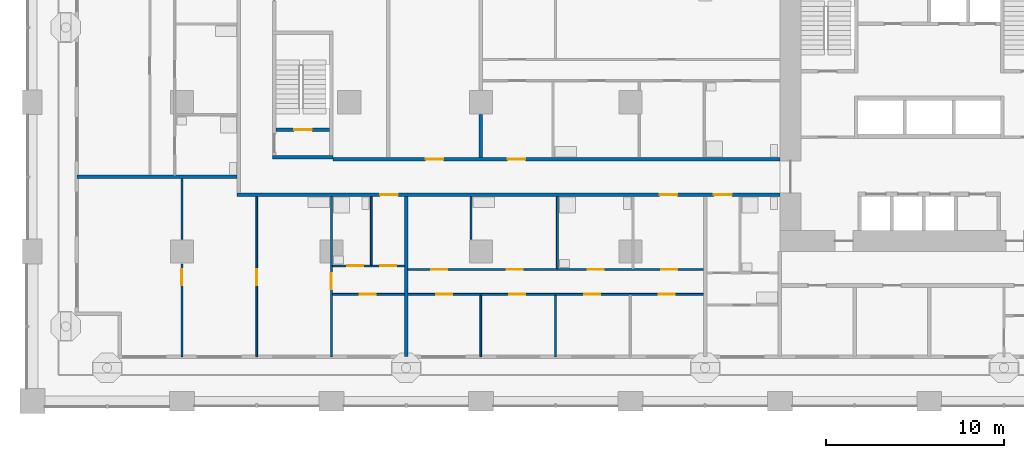
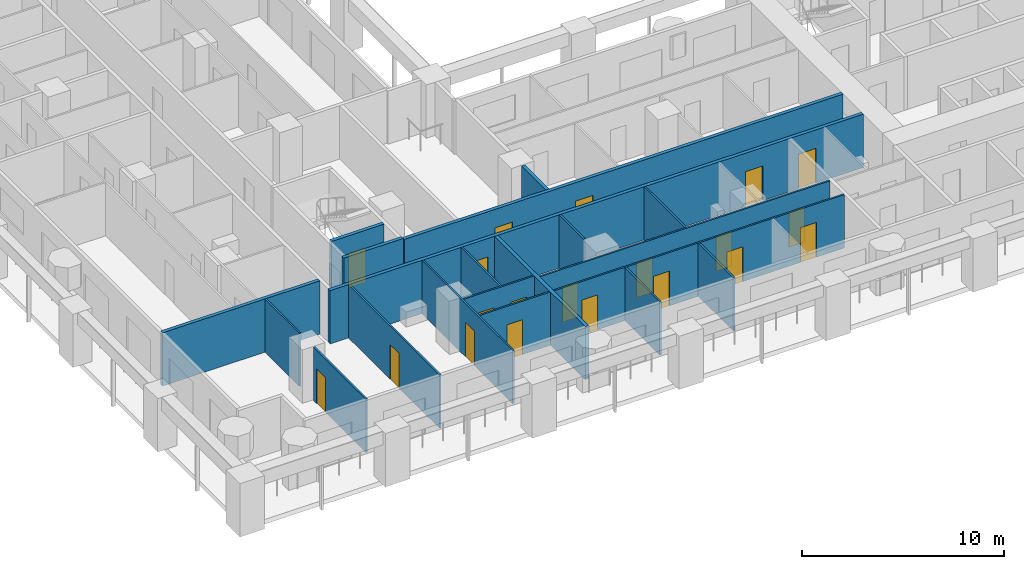
# One storey, part 3 of 23: 20 doors, 19 walls, 20 openings.
"""IFC4 building model written with IfcOpenShell, lengths in metres."""

from ifc_helpers import new_model, si_unit, direction, frame, frame_2d, origin, place, context, subcontext, project, spatial, rectangle, extrude, material, layer, layer_set, type_object, element, fill, save


model = new_model("IFC4")

# Units and contexts
model_context = context("Model", 3, precision=1e-05, world=origin(), true_north=direction((0.0, 1.0)))
body_context = subcontext(model_context, "Body", "Model", "MODEL_VIEW")
ifc_project = project(units=[si_unit("LENGTHUNIT", "METRE"), si_unit("AREAUNIT", "SQUARE_METRE"), si_unit("VOLUMEUNIT", "CUBIC_METRE"), si_unit("PLANEANGLEUNIT", "RADIAN"), si_unit("MASSUNIT", "GRAM", prefix="KILO")], contexts=[model_context])

# Site, building, storey
site_placement = place(None, origin())
site = spatial("IfcSite", under=ifc_project, at=site_placement, CompositionType="ELEMENT")
building_placement = place(site_placement, origin())
building = spatial("IfcBuilding", under=site, at=building_placement, Name="Vermilion Gate Residences", CompositionType="ELEMENT")
storey_placement = place(building_placement, frame((0.0, 0.0, 25.199951171875)))
storey = spatial("IfcBuildingStorey", under=building, at=storey_placement, Name="L04", CompositionType="ELEMENT", Elevation=25.199951171875)

# Wall, openings, doors
ifc_material_1 = material(Name="Plasterboard on steel studs", Category="steel")
ifc_layer_1 = layer(ifc_material_1, 0.10009765625)
ifc_layer_set_1 = layer_set([ifc_layer_1], Name="PARTITION 100")
wall_type_1 = type_object("IfcWallType", Name="PARTITION 100", PredefinedType="PARTITIONING", material=ifc_layer_set_1)
wall_1_placement = place(storey_placement, frame((16.85009765625, 6.0, 0.0), z_axis=(0.0, 0.0, 1.0), x_axis=(1.0, 0.0, 0.0)))
wall_1 = element("IfcWall", 1, at=wall_1_placement, inside=storey, type_object=wall_type_1, Name="Partition", PredefinedType="PARTITIONING", context=body_context, shape_type="SweptSolid", body=[
    extrude(rectangle(XDim=20.849853515625, YDim=0.10009765625, at=frame_2d((10.4248046875, 0.0))), origin(), (0.0, 0.0, 1.0), 3.219970703125),
])
opening_1_placement = place(wall_1_placement, frame((1.550048828125, 0.0, 0.0)))
opening_1 = element("IfcOpeningElement", 2, at=opening_1_placement, cuts=wall_1, Name="Opening DA04004", PredefinedType="OPENING", context=body_context, shape_type="SweptSolid", body=[
    extrude(rectangle(XDim=0.89990234375, YDim=2.10009765625, at=frame_2d((0.449951171875, 1.050048828125))), frame((0.0, 0.06005859375, 0.0), z_axis=(0.0, -1.0, 0.0), x_axis=(1.0, 0.0, 0.0)), (0.0, 0.0, 1.0), 0.1201171875),
])
opening_2_placement = place(wall_1_placement, frame((5.85009765625, 0.0, 0.0)))
opening_2 = element("IfcOpeningElement", 3, at=opening_2_placement, cuts=wall_1, Name="Opening DA04005", PredefinedType="OPENING", context=body_context, shape_type="SweptSolid", body=[
    extrude(rectangle(XDim=0.89990234375, YDim=2.10009765625, at=frame_2d((0.449951171875, 1.050048828125))), frame((0.0, 0.06005859375, 0.0), z_axis=(0.0, -1.0, 0.0), x_axis=(1.0, 0.0, 0.0)), (0.0, 0.0, 1.0), 0.1201171875),
])
opening_3_placement = place(wall_1_placement, frame((9.949951171875, 0.0, 0.0)))
opening_3 = element("IfcOpeningElement", 4, at=opening_3_placement, cuts=wall_1, Name="Opening DA04006", PredefinedType="OPENING", context=body_context, shape_type="SweptSolid", body=[
    extrude(rectangle(XDim=0.89990234375, YDim=2.10009765625, at=frame_2d((0.449951171875, 1.050048828125))), frame((0.0, 0.06005859375, 0.0), z_axis=(0.0, -1.0, 0.0), x_axis=(1.0, 0.0, 0.0)), (0.0, 0.0, 1.0), 0.1201171875),
])
opening_4_placement = place(wall_1_placement, frame((14.14990234375, 0.0, 0.0)))
opening_4 = element("IfcOpeningElement", 5, at=opening_4_placement, cuts=wall_1, Name="Opening DA04007", PredefinedType="OPENING", context=body_context, shape_type="SweptSolid", body=[
    extrude(rectangle(XDim=0.89990234375, YDim=2.10009765625, at=frame_2d((0.449951171875, 1.050048828125))), frame((0.0, 0.06005859375, 0.0), z_axis=(0.0, -1.0, 0.0), x_axis=(1.0, 0.0, 0.0)), (0.0, 0.0, 1.0), 0.1201171875),
])
opening_5_placement = place(wall_1_placement, frame((18.35009765625, 0.0, 0.0)))
opening_5 = element("IfcOpeningElement", 6, at=opening_5_placement, cuts=wall_1, Name="Opening DA04008", PredefinedType="OPENING", context=body_context, shape_type="SweptSolid", body=[
    extrude(rectangle(XDim=0.89990234375, YDim=2.10009765625, at=frame_2d((0.449951171875, 1.050048828125))), frame((0.0, 0.06005859375, 0.0), z_axis=(0.0, -1.0, 0.0), x_axis=(1.0, 0.0, 0.0)), (0.0, 0.0, 1.0), 0.1201171875),
])
ifc_material_2 = material(Name="Timber", Category="wood")
door_type_1 = type_object("IfcDoorType", Name="INTERIOR DOOR 900 X 2100", OperationType="SINGLE_SWING_LEFT", PredefinedType="DOOR", material=ifc_material_2)
door_1_placement = place(opening_1_placement, frame((0.89990234375, 0.0, 0.0), z_axis=(0.0, 0.0, 1.0), x_axis=(-1.0, 0.0, 0.0)))
door_1 = element("IfcDoor", 7, at=door_1_placement, inside=storey, type_object=door_type_1, Name="Interior door", OperationType="SINGLE_SWING_RIGHT", OverallHeight=2.10009765625, OverallWidth=0.89990234375, PredefinedType="DOOR", context=body_context, shape_type="SweptSolid", body=[
    extrude(rectangle(XDim=0.89990234375, YDim=2.10009765625, at=frame_2d((0.449951171875, 1.050048828125))), frame((0.0, 0.02490234375, 0.0), z_axis=(0.0, -1.0, 0.0), x_axis=(1.0, 0.0, 0.0)), (0.0, 0.0, 1.0), 0.050048828125),
])
fill(opening_1, door_1)
door_2_placement = place(opening_2_placement, frame((0.89990234375, 0.0, 0.0), z_axis=(0.0, 0.0, 1.0), x_axis=(-1.0, 0.0, 0.0)))
door_2 = element("IfcDoor", 8, at=door_2_placement, inside=storey, type_object=door_type_1, Name="Interior door", OperationType="SINGLE_SWING_LEFT", OverallHeight=2.10009765625, OverallWidth=0.89990234375, PredefinedType="DOOR", context=body_context, shape_type="SweptSolid", body=[
    extrude(rectangle(XDim=0.89990234375, YDim=2.10009765625, at=frame_2d((0.449951171875, 1.050048828125))), frame((0.0, 0.02490234375, 0.0), z_axis=(0.0, -1.0, 0.0), x_axis=(1.0, 0.0, 0.0)), (0.0, 0.0, 1.0), 0.050048828125),
])
fill(opening_2, door_2)
door_3_placement = place(opening_3_placement, frame((0.89990234375, 0.0, 0.0), z_axis=(0.0, 0.0, 1.0), x_axis=(-1.0, 0.0, 0.0)))
door_3 = element("IfcDoor", 9, at=door_3_placement, inside=storey, type_object=door_type_1, Name="Interior door", OperationType="SINGLE_SWING_RIGHT", OverallHeight=2.10009765625, OverallWidth=0.89990234375, PredefinedType="DOOR", context=body_context, shape_type="SweptSolid", body=[
    extrude(rectangle(XDim=0.89990234375, YDim=2.10009765625, at=frame_2d((0.449951171875, 1.050048828125))), frame((0.0, 0.02490234375, 0.0), z_axis=(0.0, -1.0, 0.0), x_axis=(1.0, 0.0, 0.0)), (0.0, 0.0, 1.0), 0.050048828125),
])
fill(opening_3, door_3)
door_4_placement = place(opening_4_placement, frame((0.89990234375, 0.0, 0.0), z_axis=(0.0, 0.0, 1.0), x_axis=(-1.0, 0.0, 0.0)))
door_4 = element("IfcDoor", 10, at=door_4_placement, inside=storey, type_object=door_type_1, Name="Interior door", OperationType="SINGLE_SWING_RIGHT", OverallHeight=2.10009765625, OverallWidth=0.89990234375, PredefinedType="DOOR", context=body_context, shape_type="SweptSolid", body=[
    extrude(rectangle(XDim=0.89990234375, YDim=2.10009765625, at=frame_2d((0.449951171875, 1.050048828125))), frame((0.0, 0.02490234375, 0.0), z_axis=(0.0, -1.0, 0.0), x_axis=(1.0, 0.0, 0.0)), (0.0, 0.0, 1.0), 0.050048828125),
])
fill(opening_4, door_4)
door_5_placement = place(opening_5_placement, frame((0.89990234375, 0.0, 0.0), z_axis=(0.0, 0.0, 1.0), x_axis=(-1.0, 0.0, 0.0)))
door_5 = element("IfcDoor", 11, at=door_5_placement, inside=storey, type_object=door_type_1, Name="Interior door", OperationType="SINGLE_SWING_RIGHT", OverallHeight=2.10009765625, OverallWidth=0.89990234375, PredefinedType="DOOR", context=body_context, shape_type="SweptSolid", body=[
    extrude(rectangle(XDim=0.89990234375, YDim=2.10009765625, at=frame_2d((0.449951171875, 1.050048828125))), frame((0.0, 0.02490234375, 0.0), z_axis=(0.0, -1.0, 0.0), x_axis=(1.0, 0.0, 0.0)), (0.0, 0.0, 1.0), 0.050048828125),
])
fill(opening_5, door_5)

wall_2_placement = place(storey_placement, frame((21.10009765625, 7.39990234375, 0.0), z_axis=(0.0, 0.0, 1.0), x_axis=(1.0, 0.0, 0.0)))
wall_2 = element("IfcWall", 12, at=wall_2_placement, inside=storey, type_object=wall_type_1, Name="Partition", PredefinedType="PARTITIONING", context=body_context, shape_type="SweptSolid", body=[
    extrude(rectangle(XDim=16.599853515625, YDim=0.10009765625, at=frame_2d((8.2998046875, 0.0))), origin(), (0.0, 0.0, 1.0), 3.219970703125),
])
opening_6_placement = place(wall_2_placement, frame((14.25, 0.0, 0.0)))
opening_6 = element("IfcOpeningElement", 13, at=opening_6_placement, cuts=wall_2, Name="Opening DA04015", PredefinedType="OPENING", context=body_context, shape_type="SweptSolid", body=[
    extrude(rectangle(XDim=0.89990234375, YDim=2.10009765625, at=frame_2d((0.449951171875, 1.050048828125))), frame((0.0, 0.06005859375, 0.0), z_axis=(0.0, -1.0, 0.0), x_axis=(1.0, 0.0, 0.0)), (0.0, 0.0, 1.0), 0.1201171875),
])
opening_7_placement = place(wall_2_placement, frame((1.300048828125, 0.0, 0.0)))
opening_7 = element("IfcOpeningElement", 14, at=opening_7_placement, cuts=wall_2, Name="Opening DA04016", PredefinedType="OPENING", context=body_context, shape_type="SweptSolid", body=[
    extrude(rectangle(XDim=0.89990234375, YDim=2.10009765625, at=frame_2d((0.449951171875, 1.050048828125))), frame((0.0, 0.06005859375, 0.0), z_axis=(0.0, -1.0, 0.0), x_axis=(1.0, 0.0, 0.0)), (0.0, 0.0, 1.0), 0.1201171875),
])
opening_8_placement = place(wall_2_placement, frame((5.550048828125, 0.0, 0.0)))
opening_8 = element("IfcOpeningElement", 15, at=opening_8_placement, cuts=wall_2, Name="Opening DA04017", PredefinedType="OPENING", context=body_context, shape_type="SweptSolid", body=[
    extrude(rectangle(XDim=0.89990234375, YDim=2.10009765625, at=frame_2d((0.449951171875, 1.050048828125))), frame((0.0, 0.06005859375, 0.0), z_axis=(0.0, -1.0, 0.0), x_axis=(1.0, 0.0, 0.0)), (0.0, 0.0, 1.0), 0.1201171875),
])
opening_9_placement = place(wall_2_placement, frame((10.10009765625, 0.0, 0.0)))
opening_9 = element("IfcOpeningElement", 16, at=opening_9_placement, cuts=wall_2, Name="Opening DA04018", PredefinedType="OPENING", context=body_context, shape_type="SweptSolid", body=[
    extrude(rectangle(XDim=0.89990234375, YDim=2.10009765625, at=frame_2d((0.449951171875, 1.050048828125))), frame((0.0, 0.06005859375, 0.0), z_axis=(0.0, -1.0, 0.0), x_axis=(1.0, 0.0, 0.0)), (0.0, 0.0, 1.0), 0.1201171875),
])
door_6_placement = place(opening_6_placement, origin())
door_6 = element("IfcDoor", 17, at=door_6_placement, inside=storey, type_object=door_type_1, Name="Interior door", OperationType="SINGLE_SWING_RIGHT", OverallHeight=2.10009765625, OverallWidth=0.89990234375, PredefinedType="DOOR", context=body_context, shape_type="SweptSolid", body=[
    extrude(rectangle(XDim=0.89990234375, YDim=2.10009765625, at=frame_2d((0.449951171875, 1.050048828125))), frame((0.0, 0.02490234375, 0.0), z_axis=(0.0, -1.0, 0.0), x_axis=(1.0, 0.0, 0.0)), (0.0, 0.0, 1.0), 0.050048828125),
])
fill(opening_6, door_6)
door_7_placement = place(opening_7_placement, origin())
door_7 = element("IfcDoor", 18, at=door_7_placement, inside=storey, type_object=door_type_1, Name="Interior door", OperationType="SINGLE_SWING_LEFT", OverallHeight=2.10009765625, OverallWidth=0.89990234375, PredefinedType="DOOR", context=body_context, shape_type="SweptSolid", body=[
    extrude(rectangle(XDim=0.89990234375, YDim=2.10009765625, at=frame_2d((0.449951171875, 1.050048828125))), frame((0.0, 0.02490234375, 0.0), z_axis=(0.0, -1.0, 0.0), x_axis=(1.0, 0.0, 0.0)), (0.0, 0.0, 1.0), 0.050048828125),
])
fill(opening_7, door_7)
door_8_placement = place(opening_8_placement, origin())
door_8 = element("IfcDoor", 19, at=door_8_placement, inside=storey, type_object=door_type_1, Name="Interior door", OperationType="SINGLE_SWING_RIGHT", OverallHeight=2.10009765625, OverallWidth=0.89990234375, PredefinedType="DOOR", context=body_context, shape_type="SweptSolid", body=[
    extrude(rectangle(XDim=0.89990234375, YDim=2.10009765625, at=frame_2d((0.449951171875, 1.050048828125))), frame((0.0, 0.02490234375, 0.0), z_axis=(0.0, -1.0, 0.0), x_axis=(1.0, 0.0, 0.0)), (0.0, 0.0, 1.0), 0.050048828125),
])
fill(opening_8, door_8)
door_9_placement = place(opening_9_placement, origin())
door_9 = element("IfcDoor", 20, at=door_9_placement, inside=storey, type_object=door_type_1, Name="Interior door", OperationType="SINGLE_SWING_LEFT", OverallHeight=2.10009765625, OverallWidth=0.89990234375, PredefinedType="DOOR", context=body_context, shape_type="SweptSolid", body=[
    extrude(rectangle(XDim=0.89990234375, YDim=2.10009765625, at=frame_2d((0.449951171875, 1.050048828125))), frame((0.0, 0.02490234375, 0.0), z_axis=(0.0, -1.0, 0.0), x_axis=(1.0, 0.0, 0.0)), (0.0, 0.0, 1.0), 0.050048828125),
])
fill(opening_9, door_9)

wall_3_placement = place(storey_placement, frame((16.85009765625, 7.60009765625, 0.0), z_axis=(0.0, 0.0, 1.0), x_axis=(1.0, 0.0, 0.0)))
wall_3 = element("IfcWall", 21, at=wall_3_placement, inside=storey, type_object=wall_type_1, Name="Partition", PredefinedType="PARTITIONING", context=body_context, shape_type="SweptSolid", body=[
    extrude(rectangle(XDim=4.0498046875, YDim=0.10009765625, at=frame_2d((2.02490234375, 0.0))), origin(), (0.0, 0.0, 1.0), 3.219970703125),
])
opening_10_placement = place(wall_3_placement, frame((2.68994140625, 0.0, 0.0)))
opening_10 = element("IfcOpeningElement", 22, at=opening_10_placement, cuts=wall_3, Name="Opening DA04019", PredefinedType="OPENING", context=body_context, shape_type="SweptSolid", body=[
    extrude(rectangle(XDim=0.89990234375, YDim=2.10009765625, at=frame_2d((0.449951171875, 1.050048828125))), frame((0.0, 0.06005859375, 0.0), z_axis=(0.0, -1.0, 0.0), x_axis=(1.0, 0.0, 0.0)), (0.0, 0.0, 1.0), 0.1201171875),
])
opening_11_placement = place(wall_3_placement, frame((0.85009765625, 0.0, 0.0)))
opening_11 = element("IfcOpeningElement", 23, at=opening_11_placement, cuts=wall_3, Name="Opening DA04020", PredefinedType="OPENING", context=body_context, shape_type="SweptSolid", body=[
    extrude(rectangle(XDim=0.89990234375, YDim=2.10009765625, at=frame_2d((0.449951171875, 1.050048828125))), frame((0.0, 0.06005859375, 0.0), z_axis=(0.0, -1.0, 0.0), x_axis=(1.0, 0.0, 0.0)), (0.0, 0.0, 1.0), 0.1201171875),
])
door_10_placement = place(opening_10_placement, frame((0.89990234375, 0.0, 0.0), z_axis=(0.0, 0.0, 1.0), x_axis=(-1.0, 0.0, 0.0)))
door_10 = element("IfcDoor", 24, at=door_10_placement, inside=storey, type_object=door_type_1, Name="Interior door", OperationType="SINGLE_SWING_LEFT", OverallHeight=2.10009765625, OverallWidth=0.89990234375, PredefinedType="DOOR", context=body_context, shape_type="SweptSolid", body=[
    extrude(rectangle(XDim=0.89990234375, YDim=2.10009765625, at=frame_2d((0.449951171875, 1.050048828125))), frame((0.0, 0.02490234375, 0.0), z_axis=(0.0, -1.0, 0.0), x_axis=(1.0, 0.0, 0.0)), (0.0, 0.0, 1.0), 0.050048828125),
])
fill(opening_10, door_10)
door_11_placement = place(opening_11_placement, origin())
door_11 = element("IfcDoor", 25, at=door_11_placement, inside=storey, type_object=door_type_1, Name="Interior door", OperationType="SINGLE_SWING_LEFT", OverallHeight=2.10009765625, OverallWidth=0.89990234375, PredefinedType="DOOR", context=body_context, shape_type="SweptSolid", body=[
    extrude(rectangle(XDim=0.89990234375, YDim=2.10009765625, at=frame_2d((0.449951171875, 1.050048828125))), frame((0.0, 0.02490234375, 0.0), z_axis=(0.0, -1.0, 0.0), x_axis=(1.0, 0.0, 0.0)), (0.0, 0.0, 1.0), 0.050048828125),
])
fill(opening_11, door_11)

# Wall, opening, door
wall_4_placement = place(storey_placement, frame((8.39990234375, 2.5, 0.0), z_axis=(0.0, 0.0, 1.0), x_axis=(0.0, 1.0, 0.0)))
wall_4 = element("IfcWall", 26, at=wall_4_placement, inside=storey, type_object=wall_type_1, Name="Partition", PredefinedType="PARTITIONING", context=body_context, shape_type="SweptSolid", body=[
    extrude(rectangle(XDim=5.199951171875, YDim=0.10009765625, at=frame_2d((2.60009765625, 0.0))), origin(), (0.0, 0.0, 1.0), 3.219970703125),
])
opening_12_placement = place(wall_4_placement, frame((4.0, 0.0, 0.0)))
opening_12 = element("IfcOpeningElement", 27, at=opening_12_placement, cuts=wall_4, Name="Opening DA04050", PredefinedType="OPENING", context=body_context, shape_type="SweptSolid", body=[
    extrude(rectangle(XDim=0.89990234375, YDim=2.10009765625, at=frame_2d((0.449951171875, 1.050048828125))), frame((0.0, 0.06005859375, 0.0), z_axis=(0.0, -1.0, 0.0), x_axis=(1.0, 0.0, 0.0)), (0.0, 0.0, 1.0), 0.1201171875),
])
door_12_placement = place(opening_12_placement, frame((0.89990234375, 0.0, 0.0), z_axis=(0.0, 0.0, 1.0), x_axis=(-1.0, 0.0, 0.0)))
door_12 = element("IfcDoor", 28, at=door_12_placement, inside=storey, type_object=door_type_1, Name="Interior door", OperationType="SINGLE_SWING_LEFT", OverallHeight=2.10009765625, OverallWidth=0.89990234375, PredefinedType="DOOR", context=body_context, shape_type="SweptSolid", body=[
    extrude(rectangle(XDim=0.89990234375, YDim=2.10009765625, at=frame_2d((0.449951171875, 1.050048828125))), frame((0.0, 0.02490234375, 0.0), z_axis=(0.0, -1.0, 0.0), x_axis=(1.0, 0.0, 0.0)), (0.0, 0.0, 1.0), 0.050048828125),
])
fill(opening_12, door_12)

# Wall
wall_5_placement = place(storey_placement, frame((8.39990234375, 9.10009765625, 0.0), z_axis=(0.0, 0.0, 1.0), x_axis=(0.0, 1.0, 0.0)))
element("IfcWall", 29, at=wall_5_placement, inside=storey, type_object=wall_type_1, Name="Partition", PredefinedType="PARTITIONING", context=body_context, shape_type="SweptSolid", body=[
    extrude(rectangle(XDim=3.39990234375, YDim=0.10009765625, at=frame_2d((1.699951171875, 0.0))), origin(), (0.0, 0.0, 1.0), 3.219970703125),
])

# Wall, opening, door
wall_6_placement = place(storey_placement, frame((12.60009765625, 2.5, 0.0), z_axis=(0.0, 0.0, 1.0), x_axis=(0.0, 1.0, 0.0)))
wall_6 = element("IfcWall", 30, at=wall_6_placement, inside=storey, type_object=wall_type_1, Name="Partition", PredefinedType="PARTITIONING", context=body_context, shape_type="SweptSolid", body=[
    extrude(rectangle(XDim=9.0, YDim=0.10009765625, at=frame_2d((4.5, 0.0))), origin(), (0.0, 0.0, 1.0), 3.219970703125),
])
opening_13_placement = place(wall_6_placement, frame((4.0, 0.0, 0.0)))
opening_13 = element("IfcOpeningElement", 31, at=opening_13_placement, cuts=wall_6, Name="Opening DA04055", PredefinedType="OPENING", context=body_context, shape_type="SweptSolid", body=[
    extrude(rectangle(XDim=0.89990234375, YDim=2.10009765625, at=frame_2d((0.449951171875, 1.050048828125))), frame((0.0, 0.06005859375, 0.0), z_axis=(0.0, -1.0, 0.0), x_axis=(1.0, 0.0, 0.0)), (0.0, 0.0, 1.0), 0.1201171875),
])
door_13_placement = place(opening_13_placement, origin())
door_13 = element("IfcDoor", 32, at=door_13_placement, inside=storey, type_object=door_type_1, Name="Interior door", OperationType="SINGLE_SWING_LEFT", OverallHeight=2.10009765625, OverallWidth=0.89990234375, PredefinedType="DOOR", context=body_context, shape_type="SweptSolid", body=[
    extrude(rectangle(XDim=0.89990234375, YDim=2.10009765625, at=frame_2d((0.449951171875, 1.050048828125))), frame((0.0, 0.02490234375, 0.0), z_axis=(0.0, -1.0, 0.0), x_axis=(1.0, 0.0, 0.0)), (0.0, 0.0, 1.0), 0.050048828125),
])
fill(opening_13, door_13)

wall_7_placement = place(storey_placement, frame((16.800048828125, 2.5, 0.0), z_axis=(0.0, 0.0, 1.0), x_axis=(0.0, 1.0, 0.0)))
wall_7 = element("IfcWall", 33, at=wall_7_placement, inside=storey, type_object=wall_type_1, Name="Partition", PredefinedType="PARTITIONING", context=body_context, shape_type="SweptSolid", body=[
    extrude(rectangle(XDim=9.0, YDim=0.10009765625, at=frame_2d((4.5, 0.0))), origin(), (0.0, 0.0, 1.0), 3.219970703125),
])
opening_14_placement = place(wall_7_placement, frame((3.800048828125, 0.0, 0.0)))
opening_14 = element("IfcOpeningElement", 34, at=opening_14_placement, cuts=wall_7, Name="Opening DA04058", PredefinedType="OPENING", context=body_context, shape_type="SweptSolid", body=[
    extrude(rectangle(XDim=0.89990234375, YDim=2.10009765625, at=frame_2d((0.449951171875, 1.050048828125))), frame((0.0, 0.06005859375, 0.0), z_axis=(0.0, -1.0, 0.0), x_axis=(1.0, 0.0, 0.0)), (0.0, 0.0, 1.0), 0.1201171875),
])
door_14_placement = place(opening_14_placement, origin())
door_14 = element("IfcDoor", 35, at=door_14_placement, inside=storey, type_object=door_type_1, Name="Interior door", OperationType="SINGLE_SWING_RIGHT", OverallHeight=2.10009765625, OverallWidth=0.89990234375, PredefinedType="DOOR", context=body_context, shape_type="SweptSolid", body=[
    extrude(rectangle(XDim=0.89990234375, YDim=2.10009765625, at=frame_2d((0.449951171875, 1.050048828125))), frame((0.0, 0.02490234375, 0.0), z_axis=(0.0, -1.0, 0.0), x_axis=(1.0, 0.0, 0.0)), (0.0, 0.0, 1.0), 0.050048828125),
])
fill(opening_14, door_14)

# Walls
wall_8_placement = place(storey_placement, frame((19.0400390625, 7.64990234375, 0.0), z_axis=(0.0, 0.0, 1.0), x_axis=(0.0, 1.0, 0.0)))
element("IfcWall", 36, at=wall_8_placement, inside=storey, type_object=wall_type_1, Name="Partition", PredefinedType="PARTITIONING", context=body_context, shape_type="SweptSolid", body=[
    extrude(rectangle(XDim=3.85009765625, YDim=0.10009765625, at=frame_2d((1.925048828125, 0.0))), origin(), (0.0, 0.0, 1.0), 3.219970703125),
])
wall_9_placement = place(storey_placement, frame((24.64990234375, 9.10009765625, 0.0), z_axis=(0.0, 0.0, 1.0), x_axis=(0.0, 1.0, 0.0)))
element("IfcWall", 37, at=wall_9_placement, inside=storey, type_object=wall_type_1, Name="Partition", PredefinedType="PARTITIONING", context=body_context, shape_type="SweptSolid", body=[
    extrude(rectangle(XDim=2.39990234375, YDim=0.10009765625, at=frame_2d((1.199951171875, 0.0))), origin(), (0.0, 0.0, 1.0), 3.219970703125),
])
for number, where, z_axis, x_axis, name in (
    (38, (25.199951171875, 2.5, 0.0), (0.0, 0.0, 1.0), (0.0, 1.0, 0.0), "Partition"),
    (39, (29.39990234375, 2.5, 0.0), (0.0, 0.0, 1.0), (0.0, 1.0, 0.0), "Partition"),
):
    element("IfcWall", number, at=place(storey_placement, frame(where, z_axis=z_axis, x_axis=x_axis)), inside=storey, type_object=wall_type_1, Name=name, PredefinedType="PARTITIONING", context=body_context, shape_type="SweptSolid", body=[
        extrude(rectangle(XDim=3.449951171875, YDim=0.10009765625, at=frame_2d((1.72509765625, 0.0))), origin(), (0.0, 0.0, 1.0), 3.219970703125),
    ])
wall_10_placement = place(storey_placement, frame((29.5, 7.449951171875, 0.0), z_axis=(0.0, 0.0, 1.0), x_axis=(0.0, 1.0, 0.0)))
element("IfcWall", 40, at=wall_10_placement, inside=storey, type_object=wall_type_1, Name="Partition", PredefinedType="PARTITIONING", context=body_context, shape_type="SweptSolid", body=[
    extrude(rectangle(XDim=4.050048828125, YDim=0.10009765625, at=frame_2d((2.02490234375, 0.0))), origin(), (0.0, 0.0, 1.0), 3.219970703125),
])

# Wall, openings, doors
ifc_material_3 = material(Name="Fire-rated plasterboard on steel studs", Category="steel")
ifc_layer_2 = layer(ifc_material_3, 0.199951171875)
ifc_layer_set_2 = layer_set([ifc_layer_2], Name="PARTY WALL 200 EI 120")
wall_type_2 = type_object("IfcWallType", Name="PARTY WALL 200 EI 120", PredefinedType="PARTITIONING", material=ifc_layer_set_2)
wall_11_placement = place(storey_placement, frame((11.5, 11.60009765625, 0.0), z_axis=(0.0, 0.0, 1.0), x_axis=(1.0, 0.0, 0.0)))
wall_11 = element("IfcWall", 41, at=wall_11_placement, inside=storey, type_object=wall_type_2, Name="Party and corridor wall", PredefinedType="PARTITIONING", context=body_context, shape_type="SweptSolid", body=[
    extrude(rectangle(XDim=30.5, YDim=0.199951171875, at=frame_2d((15.25, 0.0))), origin(), (0.0, 0.0, 1.0), 3.219970703125),
])
opening_15_placement = place(wall_11_placement, frame((8.0400390625, 0.0, 0.0)))
opening_15 = element("IfcOpeningElement", 42, at=opening_15_placement, cuts=wall_11, Name="Opening DA04021", PredefinedType="OPENING", context=body_context, shape_type="SweptSolid", body=[
    extrude(rectangle(XDim=1.0, YDim=2.10009765625, at=frame_2d((0.5, 1.050048828125))), frame((0.0, 0.10986328125, 0.0), z_axis=(0.0, -1.0, 0.0), x_axis=(1.0, 0.0, 0.0)), (0.0, 0.0, 1.0), 0.219970703125),
])
opening_16_placement = place(wall_11_placement, frame((23.75, 0.0, 0.0)))
opening_16 = element("IfcOpeningElement", 43, at=opening_16_placement, cuts=wall_11, Name="Opening DA04022", PredefinedType="OPENING", context=body_context, shape_type="SweptSolid", body=[
    extrude(rectangle(XDim=1.0, YDim=2.10009765625, at=frame_2d((0.5, 1.050048828125))), frame((0.0, 0.10986328125, 0.0), z_axis=(0.0, -1.0, 0.0), x_axis=(1.0, 0.0, 0.0)), (0.0, 0.0, 1.0), 0.219970703125),
])
opening_17_placement = place(wall_11_placement, frame((26.800048828125, 0.0, 0.0)))
opening_17 = element("IfcOpeningElement", 44, at=opening_17_placement, cuts=wall_11, Name="Opening DA04023", PredefinedType="OPENING", context=body_context, shape_type="SweptSolid", body=[
    extrude(rectangle(XDim=1.0, YDim=2.10009765625, at=frame_2d((0.5, 1.050048828125))), frame((0.0, 0.10986328125, 0.0), z_axis=(0.0, -1.0, 0.0), x_axis=(1.0, 0.0, 0.0)), (0.0, 0.0, 1.0), 0.219970703125),
])
ifc_material_4 = material(Name="Steel", Category="steel")
door_type_2 = type_object("IfcDoorType", Name="ENTRANCE DOOR 1000 X 2100 FD30", OperationType="SINGLE_SWING_LEFT", PredefinedType="DOOR", material=ifc_material_4)
door_15_placement = place(opening_15_placement, frame((1.0, 0.0, 0.0), z_axis=(0.0, 0.0, 1.0), x_axis=(-1.0, 0.0, 0.0)))
door_15 = element("IfcDoor", 45, at=door_15_placement, inside=storey, type_object=door_type_2, Name="Entrance door", OperationType="SINGLE_SWING_LEFT", OverallHeight=2.10009765625, OverallWidth=1.0, PredefinedType="DOOR", context=body_context, shape_type="SweptSolid", body=[
    extrude(rectangle(XDim=1.0, YDim=2.10009765625, at=frame_2d((0.5, 1.050048828125))), frame((0.0, 0.02490234375, 0.0), z_axis=(0.0, -1.0, 0.0), x_axis=(1.0, 0.0, 0.0)), (0.0, 0.0, 1.0), 0.050048828125),
])
fill(opening_15, door_15)
door_16_placement = place(opening_16_placement, frame((1.0, 0.0, 0.0), z_axis=(0.0, 0.0, 1.0), x_axis=(-1.0, 0.0, 0.0)))
door_16 = element("IfcDoor", 46, at=door_16_placement, inside=storey, type_object=door_type_2, Name="Entrance door", OperationType="SINGLE_SWING_LEFT", OverallHeight=2.10009765625, OverallWidth=1.0, PredefinedType="DOOR", context=body_context, shape_type="SweptSolid", body=[
    extrude(rectangle(XDim=1.0, YDim=2.10009765625, at=frame_2d((0.5, 1.050048828125))), frame((0.0, 0.02490234375, 0.0), z_axis=(0.0, -1.0, 0.0), x_axis=(1.0, 0.0, 0.0)), (0.0, 0.0, 1.0), 0.050048828125),
])
fill(opening_16, door_16)
door_17_placement = place(opening_17_placement, frame((1.0, 0.0, 0.0), z_axis=(0.0, 0.0, 1.0), x_axis=(-1.0, 0.0, 0.0)))
door_17 = element("IfcDoor", 47, at=door_17_placement, inside=storey, type_object=door_type_2, Name="Entrance door", OperationType="SINGLE_SWING_RIGHT", OverallHeight=2.10009765625, OverallWidth=1.0, PredefinedType="DOOR", context=body_context, shape_type="SweptSolid", body=[
    extrude(rectangle(XDim=1.0, YDim=2.10009765625, at=frame_2d((0.5, 1.050048828125))), frame((0.0, 0.02490234375, 0.0), z_axis=(0.0, -1.0, 0.0), x_axis=(1.0, 0.0, 0.0)), (0.0, 0.0, 1.0), 0.050048828125),
])
fill(opening_17, door_17)

# Wall
wall_12_placement = place(storey_placement, frame((2.5, 12.60009765625, 0.0), z_axis=(0.0, 0.0, 1.0), x_axis=(1.0, 0.0, 0.0)))
element("IfcWall", 48, at=wall_12_placement, inside=storey, type_object=wall_type_2, Name="Party and corridor wall", PredefinedType="PARTITIONING", context=body_context, shape_type="SweptSolid", body=[
    extrude(rectangle(XDim=9.0, YDim=0.199951171875, at=frame_2d((4.5, 0.0))), origin(), (0.0, 0.0, 1.0), 3.219970703125),
])

# Wall, openings, doors
wall_13_placement = place(storey_placement, frame((16.89990234375, 13.60009765625, 0.0), z_axis=(0.0, 0.0, 1.0), x_axis=(1.0, 0.0, 0.0)))
wall_13 = element("IfcWall", 49, at=wall_13_placement, inside=storey, type_object=wall_type_2, Name="Party and corridor wall", PredefinedType="PARTITIONING", context=body_context, shape_type="SweptSolid", body=[
    extrude(rectangle(XDim=25.10009765625, YDim=0.199951171875, at=frame_2d((12.550048828125, 0.0))), origin(), (0.0, 0.0, 1.0), 3.219970703125),
])
opening_18_placement = place(wall_13_placement, frame((9.800048828125, 0.0, 0.0)))
opening_18 = element("IfcOpeningElement", 50, at=opening_18_placement, cuts=wall_13, Name="Opening DA04024", PredefinedType="OPENING", context=body_context, shape_type="SweptSolid", body=[
    extrude(rectangle(XDim=1.0, YDim=2.10009765625, at=frame_2d((0.5, 1.050048828125))), frame((0.0, 0.10986328125, 0.0), z_axis=(0.0, -1.0, 0.0), x_axis=(1.0, 0.0, 0.0)), (0.0, 0.0, 1.0), 0.219970703125),
])
opening_19_placement = place(wall_13_placement, frame((5.199951171875, 0.0, 0.0)))
opening_19 = element("IfcOpeningElement", 51, at=opening_19_placement, cuts=wall_13, Name="Opening DA04025", PredefinedType="OPENING", context=body_context, shape_type="SweptSolid", body=[
    extrude(rectangle(XDim=1.0, YDim=2.10009765625, at=frame_2d((0.5, 1.050048828125))), frame((0.0, 0.10986328125, 0.0), z_axis=(0.0, -1.0, 0.0), x_axis=(1.0, 0.0, 0.0)), (0.0, 0.0, 1.0), 0.219970703125),
])
door_18_placement = place(opening_18_placement, origin())
door_18 = element("IfcDoor", 52, at=door_18_placement, inside=storey, type_object=door_type_2, Name="Entrance door", OperationType="SINGLE_SWING_LEFT", OverallHeight=2.10009765625, OverallWidth=1.0, PredefinedType="DOOR", context=body_context, shape_type="SweptSolid", body=[
    extrude(rectangle(XDim=1.0, YDim=2.10009765625, at=frame_2d((0.5, 1.050048828125))), frame((0.0, 0.02490234375, 0.0), z_axis=(0.0, -1.0, 0.0), x_axis=(1.0, 0.0, 0.0)), (0.0, 0.0, 1.0), 0.050048828125),
])
fill(opening_18, door_18)
door_19_placement = place(opening_19_placement, origin())
door_19 = element("IfcDoor", 53, at=door_19_placement, inside=storey, type_object=door_type_2, Name="Entrance door", OperationType="SINGLE_SWING_LEFT", OverallHeight=2.10009765625, OverallWidth=1.0, PredefinedType="DOOR", context=body_context, shape_type="SweptSolid", body=[
    extrude(rectangle(XDim=1.0, YDim=2.10009765625, at=frame_2d((0.5, 1.050048828125))), frame((0.0, 0.02490234375, 0.0), z_axis=(0.0, -1.0, 0.0), x_axis=(1.0, 0.0, 0.0)), (0.0, 0.0, 1.0), 0.050048828125),
])
fill(opening_19, door_19)

# Walls
wall_14_placement = place(storey_placement, frame((21.0, 2.5, 0.0), z_axis=(0.0, 0.0, 1.0), x_axis=(0.0, 1.0, 0.0)))
element("IfcWall", 54, at=wall_14_placement, inside=storey, type_object=wall_type_2, Name="Party and corridor wall", PredefinedType="PARTITIONING", context=body_context, shape_type="SweptSolid", body=[
    extrude(rectangle(XDim=9.0, YDim=0.199951171875, at=frame_2d((4.5, 0.0))), origin(), (0.0, 0.0, 1.0), 3.219970703125),
])
wall_15_placement = place(storey_placement, frame((25.199951171875, 13.699951171875, 0.0), z_axis=(0.0, 0.0, 1.0), x_axis=(0.0, 1.0, 0.0)))
element("IfcWall", 55, at=wall_15_placement, inside=storey, type_object=wall_type_2, Name="Party and corridor wall", PredefinedType="PARTITIONING", context=body_context, shape_type="SweptSolid", body=[
    extrude(rectangle(XDim=2.400146484375, YDim=0.199951171875, at=frame_2d((1.2001953125, 0.0))), origin(), (0.0, 0.0, 1.0), 3.219970703125),
])
ifc_material_5 = material(Name="Concrete C60", Category="concrete")
ifc_layer_3 = layer(ifc_material_5, 0.199951171875)
ifc_layer_set_3 = layer_set([ifc_layer_3], Name="RC CORE INTERNAL WALL 200 C60")
wall_type_3 = type_object("IfcWallType", Name="RC CORE INTERNAL WALL 200 C60", PredefinedType="SHEAR", material=ifc_layer_set_3)
wall_16_placement = place(storey_placement, frame((13.5, 13.699951171875, 0.0), z_axis=(0.0, 0.0, 1.0), x_axis=(1.0, 0.0, 0.0)))
element("IfcWall", 56, at=wall_16_placement, inside=storey, type_object=wall_type_3, Name="Core internal wall C04-S", PredefinedType="SHEAR", context=body_context, shape_type="SweptSolid", body=[
    extrude(rectangle(XDim=3.39990234375, YDim=0.199951171875, at=frame_2d((1.699951171875, 0.0))), origin(), (0.0, 0.0, 1.0), 3.219970703125),
])

# Wall, opening, door
wall_17_placement = place(storey_placement, frame((13.699951171875, 15.25, 0.0), z_axis=(0.0, 0.0, 1.0), x_axis=(1.0, 0.0, 0.0)))
wall_17 = element("IfcWall", 57, at=wall_17_placement, inside=storey, type_object=wall_type_3, Name="Core internal wall C04-P", PredefinedType="SHEAR", context=body_context, shape_type="SweptSolid", body=[
    extrude(rectangle(XDim=3.0, YDim=0.199951171875, at=frame_2d((1.5, 0.0))), origin(), (0.0, 0.0, 1.0), 3.219970703125),
])
opening_20_placement = place(wall_17_placement, frame((1.0, 0.0, 0.0)))
opening_20 = element("IfcOpeningElement", 58, at=opening_20_placement, cuts=wall_17, Name="Opening DK04202", PredefinedType="OPENING", context=body_context, shape_type="SweptSolid", body=[
    extrude(rectangle(XDim=1.0, YDim=2.10009765625, at=frame_2d((0.5, 1.050048828125))), frame((0.0, 0.10986328125, 0.0), z_axis=(0.0, -1.0, 0.0), x_axis=(1.0, 0.0, 0.0)), (0.0, 0.0, 1.0), 0.219970703125),
])
ifc_material_6 = material(Name="Steel", Category="steel")
door_type_3 = type_object("IfcDoorType", Name="FIRE DOOR FD60 1000 X 2100", OperationType="SINGLE_SWING_LEFT", PredefinedType="DOOR", material=ifc_material_6)
door_20_placement = place(opening_20_placement, origin())
door_20 = element("IfcDoor", 59, at=door_20_placement, inside=storey, type_object=door_type_3, Name="Stair door C04", OperationType="SINGLE_SWING_LEFT", OverallHeight=2.10009765625, OverallWidth=1.0, PredefinedType="DOOR", context=body_context, shape_type="SweptSolid", body=[
    extrude(rectangle(XDim=1.0, YDim=2.10009765625, at=frame_2d((0.5, 1.050048828125))), frame((0.0, 0.02490234375, 0.0), z_axis=(0.0, -1.0, 0.0), x_axis=(1.0, 0.0, 0.0)), (0.0, 0.0, 1.0), 0.050048828125),
])
fill(opening_20, door_20)

save(model, "model.ifc")
